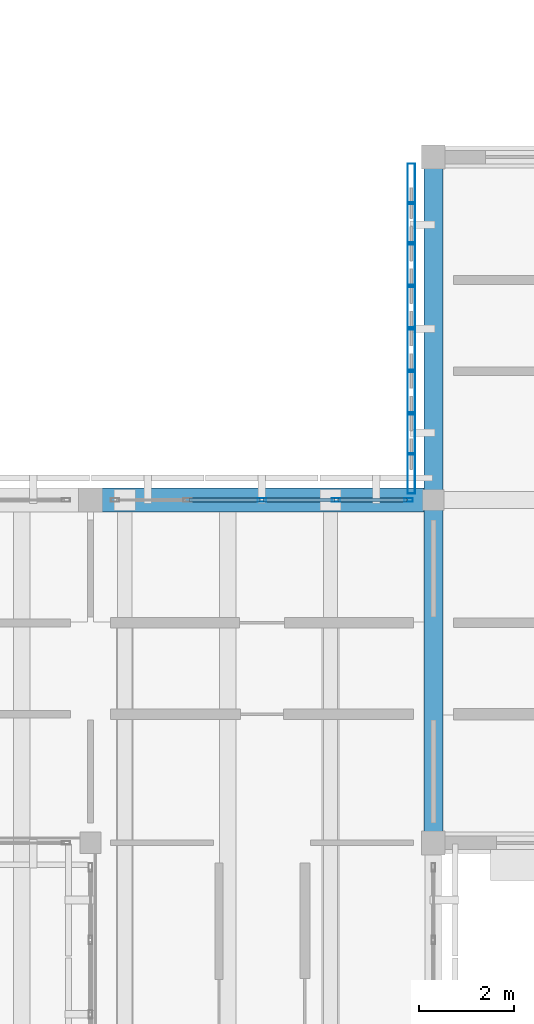
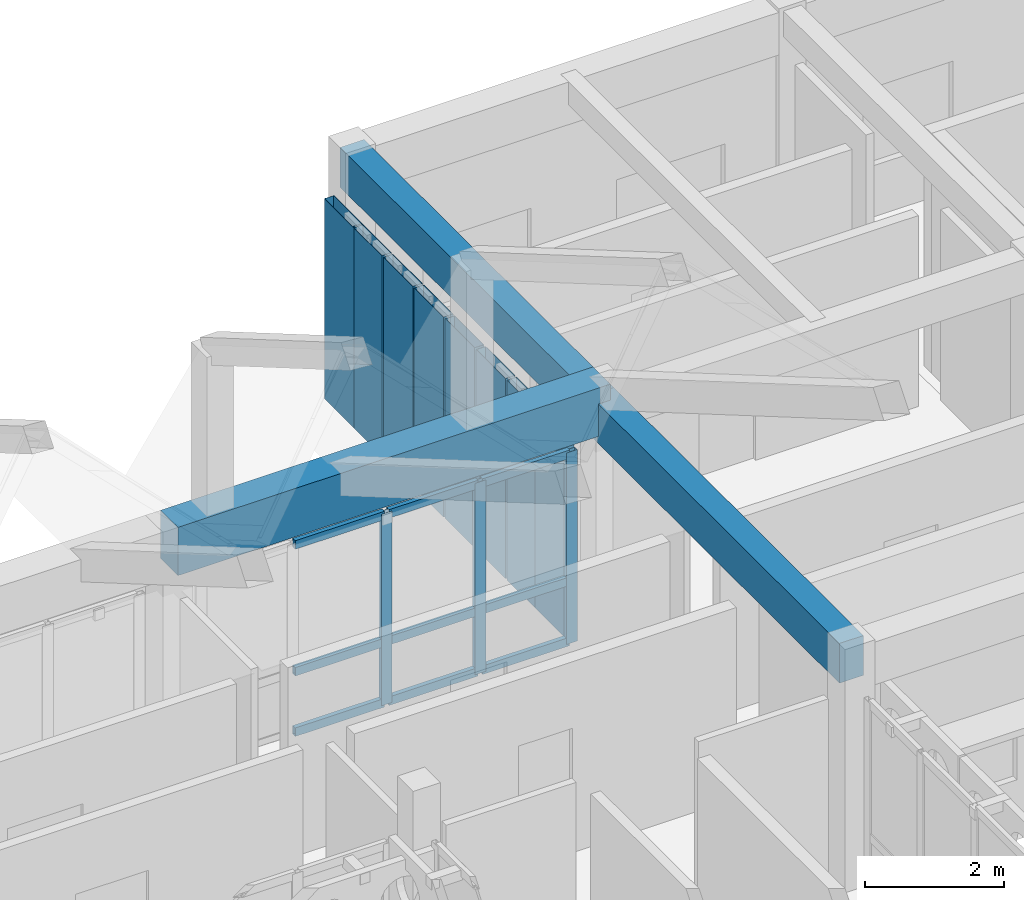
# One storey, part 62 of 171: 20 members, 3 beams, 2 elements without a shape of their own.
"""IFC4 building model written with IfcOpenShell, lengths in metres."""

from ifc_helpers import new_model, si_unit, direction, frame, origin, origin_2d, place, context, subcontext, project, spatial, rectangle, hollow_rectangle, extrude, material, material_profile, profile_set, type_object, element, aggregate, save


model = new_model("IFC4")

# Units and contexts
model_context = context("Model", 3, precision=1e-05, world=origin(), true_north=direction((0.0, 1.0)))
body_context = subcontext(model_context, "Body", "Model", "MODEL_VIEW")
ifc_project = project(units=[si_unit("LENGTHUNIT", "METRE"), si_unit("AREAUNIT", "SQUARE_METRE"), si_unit("VOLUMEUNIT", "CUBIC_METRE"), si_unit("PLANEANGLEUNIT", "RADIAN"), si_unit("MASSUNIT", "GRAM", prefix="KILO")], contexts=[model_context])

# Site, building, storey
site_placement = place(None, origin())
site = spatial("IfcSite", under=ifc_project, at=site_placement, CompositionType="ELEMENT")
building_placement = place(site_placement, origin())
building = spatial("IfcBuilding", under=site, at=building_placement, Name="Aldebral Square Health Centre", CompositionType="ELEMENT")
storey_placement = place(building_placement, frame((0.0, 0.0, 4.5)))
storey = spatial("IfcBuildingStorey", under=building, at=storey_placement, Name="L01", CompositionType="ELEMENT", Elevation=4.5)

# Beams
ifc_material_1 = material(Name="Concrete C40/50", Category="concrete")
ifc_material_profile_1 = material_profile(ifc_material_1, rectangle(XDim=0.5, YDim=0.85009765625, at=origin_2d()), Name="RC 500x850")
ifc_profile_set_1 = profile_set([ifc_material_profile_1], Name="Concrete C40/50")
beam_type_1 = type_object("IfcBeamType", Name="BM-G1", PredefinedType="T_BEAM", material=ifc_profile_set_1)
beam_placement = place(storey_placement, frame((100.800048828125, 100.800048828125, 4.074951171875), z_axis=(1.0, 0.0, 0.0), x_axis=(0.0, 1.0, 0.0)))
element("IfcBeam", 1, at=beam_placement, inside=storey, type_object=beam_type_1, Name="Waiting Hall diaphragm girder EAVE-N 15", PredefinedType="T_BEAM", context=body_context, shape_type="SweptSolid", body=[
    extrude(rectangle(XDim=0.5, YDim=0.85009765625, at=origin_2d()), origin(), (0.0, 0.0, 1.0), 7.199951171875),
])
ifc_material_profile_2 = material_profile(ifc_material_1, rectangle(XDim=0.39990234375, YDim=0.699951171875, at=origin_2d()), Name="RC 400x700")
ifc_profile_set_2 = profile_set([ifc_material_profile_2], Name="Concrete C40/50")
beam_type_2 = type_object("IfcBeamType", Name="BM-G3", PredefinedType="T_BEAM", material=ifc_profile_set_2)
for number, where, z_axis, x_axis, name in (
    (2, (108.0, 93.60009765625, 3.8701171875), (0.0, 1.0, 0.0), (-1.0, 0.0, 0.0), "L01 Y-beam G16/14-15"),
    (3, (108.0, 100.800048828125, 3.8701171875), (0.0, 1.0, 0.0), (-1.0, 0.0, 0.0), "L01 Y-beam G16/15-16"),
):
    element("IfcBeam", number, at=place(storey_placement, frame(where, z_axis=z_axis, x_axis=x_axis)), inside=storey, type_object=beam_type_2, Name=name, PredefinedType="T_BEAM", context=body_context, shape_type="SweptSolid", body=[
        extrude(rectangle(XDim=0.39990234375, YDim=0.699951171875, at=origin_2d()), origin(), (0.0, 0.0, 1.0), 7.199951171875),
    ])

# Curtain wall, members
ifc_material_2 = material(Name="Aluminium and low-E solar glass", Category="aluminium")
curtain_wall_type_1 = type_object("IfcCurtainWallType", Name="CW-FIN-SYS", PredefinedType="USERDEFINED", material=ifc_material_2)
curtain_wall_1_placement = place(storey_placement, origin())
curtain_wall_1 = element("IfcCurtainWall", 4, at=curtain_wall_1_placement, inside=storey, type_object=curtain_wall_type_1, Name="L01 V5 finned curtain wall L01-V5-15-14-W", ObjectType="SOLAR_CURTAIN_WALL", PredefinedType="USERDEFINED")
ifc_material_3 = material(Name="Sienna-terracotta clad aluminium fin", Category="masonry")
ifc_material_profile_3 = material_profile(ifc_material_3, hollow_rectangle(XDim=0.159912109375, YDim=0.85009765625, WallThickness=0.006103515625, at=origin_2d()), Name="FIN 160x850x6")
ifc_profile_set_3 = profile_set([ifc_material_profile_3], Name="Sienna-terracotta clad aluminium fin")
member_type_1 = type_object("IfcMemberType", Name="CWM-FIN", PredefinedType="MULLION", material=ifc_profile_set_3)
member_1_placement = place(storey_placement, frame((107.5400390625, 107.43994140625, 0.0), z_axis=(0.0, 0.0, 1.0), x_axis=(1.0, 0.0, 0.0)))
member_1 = element("IfcMember", 5, at=member_1_placement, type_object=member_type_1, Name="CW1 mullion 1", PredefinedType="MULLION", context=body_context, shape_type="SweptSolid", body=[
    extrude(hollow_rectangle(XDim=0.159912109375, YDim=0.85009765625, WallThickness=0.006103515625, at=origin_2d()), origin(), (0.0, 0.0, 1.0), 3.52001953125),
])
member_2_placement = place(storey_placement, frame((107.5400390625, 106.628662109375, 0.0), z_axis=(0.0, 0.0, 1.0), x_axis=(1.0, 0.0, 0.0)))
member_2 = element("IfcMember", 6, at=member_2_placement, type_object=member_type_1, Name="CW1 mullion 2", PredefinedType="MULLION", context=body_context, shape_type="SweptSolid", body=[
    extrude(hollow_rectangle(XDim=0.159912109375, YDim=0.85009765625, WallThickness=0.006103515625, at=origin_2d()), origin(), (0.0, 0.0, 1.0), 3.52001953125),
])
member_3_placement = place(storey_placement, frame((107.5400390625, 105.737060546875, 0.0), z_axis=(0.0, 0.0, 1.0), x_axis=(1.0, 0.0, 0.0)))
member_3 = element("IfcMember", 7, at=member_3_placement, type_object=member_type_1, Name="CW1 mullion 3", PredefinedType="MULLION", context=body_context, shape_type="SweptSolid", body=[
    extrude(hollow_rectangle(XDim=0.159912109375, YDim=0.85009765625, WallThickness=0.006103515625, at=origin_2d()), origin(), (0.0, 0.0, 1.0), 3.52001953125),
])
member_4_placement = place(storey_placement, frame((107.5400390625, 104.845703125, 0.0), z_axis=(0.0, 0.0, 1.0), x_axis=(1.0, 0.0, 0.0)))
member_4 = element("IfcMember", 8, at=member_4_placement, type_object=member_type_1, Name="CW1 mullion 4", PredefinedType="MULLION", context=body_context, shape_type="SweptSolid", body=[
    extrude(hollow_rectangle(XDim=0.159912109375, YDim=0.85009765625, WallThickness=0.006103515625, at=origin_2d()), origin(), (0.0, 0.0, 1.0), 3.52001953125),
])
member_5_placement = place(storey_placement, frame((107.5400390625, 103.954345703125, 0.0), z_axis=(0.0, 0.0, 1.0), x_axis=(1.0, 0.0, 0.0)))
member_5 = element("IfcMember", 9, at=member_5_placement, type_object=member_type_1, Name="CW1 mullion 5", PredefinedType="MULLION", context=body_context, shape_type="SweptSolid", body=[
    extrude(hollow_rectangle(XDim=0.159912109375, YDim=0.85009765625, WallThickness=0.006103515625, at=origin_2d()), origin(), (0.0, 0.0, 1.0), 3.52001953125),
])
member_6_placement = place(storey_placement, frame((107.5400390625, 103.062744140625, 0.0), z_axis=(0.0, 0.0, 1.0), x_axis=(1.0, 0.0, 0.0)))
member_6 = element("IfcMember", 10, at=member_6_placement, type_object=member_type_1, Name="CW1 mullion 6", PredefinedType="MULLION", context=body_context, shape_type="SweptSolid", body=[
    extrude(hollow_rectangle(XDim=0.159912109375, YDim=0.85009765625, WallThickness=0.006103515625, at=origin_2d()), origin(), (0.0, 0.0, 1.0), 3.52001953125),
])
member_7_placement = place(storey_placement, frame((107.5400390625, 102.17138671875, 0.0), z_axis=(0.0, 0.0, 1.0), x_axis=(1.0, 0.0, 0.0)))
member_7 = element("IfcMember", 11, at=member_7_placement, type_object=member_type_1, Name="CW1 mullion 7", PredefinedType="MULLION", context=body_context, shape_type="SweptSolid", body=[
    extrude(hollow_rectangle(XDim=0.159912109375, YDim=0.85009765625, WallThickness=0.006103515625, at=origin_2d()), origin(), (0.0, 0.0, 1.0), 3.52001953125),
])
member_8_placement = place(storey_placement, frame((107.5400390625, 101.360107421875, 0.0), z_axis=(0.0, 0.0, 1.0), x_axis=(1.0, 0.0, 0.0)))
member_8 = element("IfcMember", 12, at=member_8_placement, type_object=member_type_1, Name="CW1 mullion 8", PredefinedType="MULLION", context=body_context, shape_type="SweptSolid", body=[
    extrude(hollow_rectangle(XDim=0.159912109375, YDim=0.85009765625, WallThickness=0.006103515625, at=origin_2d()), origin(), (0.0, 0.0, 1.0), 3.52001953125),
])
aggregate(curtain_wall_1, [member_1, member_2, member_3, member_4, member_5, member_6, member_7, member_8])

curtain_wall_type_2 = type_object("IfcCurtainWallType", Name="CW-HALL-SYS", PredefinedType="USERDEFINED", material=ifc_material_2)
curtain_wall_2_placement = place(storey_placement, origin())
curtain_wall_2 = element("IfcCurtainWall", 13, at=curtain_wall_2_placement, inside=storey, type_object=curtain_wall_type_2, Name="L01 V1 hall curtain wall L01-V1-14-13-N", ObjectType="HALL_CURTAIN_WALL", PredefinedType="USERDEFINED")
ifc_material_4 = material(Name="Anodised aluminium mullion", Category="aluminium")
ifc_material_profile_4 = material_profile(ifc_material_4, hollow_rectangle(XDim=0.074951171875, YDim=0.179931640625, WallThickness=0.00390625, at=origin_2d()), Name="CWM 75x180x4")
ifc_profile_set_4 = profile_set([ifc_material_profile_4], Name="Anodised aluminium mullion")
member_type_2 = type_object("IfcMemberType", Name="CWM-STD", PredefinedType="MULLION", material=ifc_profile_set_4)
member_9_placement = place(storey_placement, frame((107.482421875, 100.800048828125, 0.0), z_axis=(0.0, 0.0, 1.0), x_axis=(0.0, -1.0, 0.0)))
member_9 = element("IfcMember", 14, at=member_9_placement, type_object=member_type_2, Name="CW2 mullion 1", PredefinedType="MULLION", context=body_context, shape_type="SweptSolid", body=[
    extrude(hollow_rectangle(XDim=0.074951171875, YDim=0.179931640625, WallThickness=0.00390625, at=origin_2d()), origin(), (0.0, 0.0, 1.0), 3.3701171875),
])
member_10_placement = place(storey_placement, frame((105.9599609375, 100.800048828125, 0.0), z_axis=(0.0, 0.0, 1.0), x_axis=(0.0, -1.0, 0.0)))
member_10 = element("IfcMember", 15, at=member_10_placement, type_object=member_type_2, Name="CW2 mullion 2", PredefinedType="MULLION", context=body_context, shape_type="SweptSolid", body=[
    extrude(hollow_rectangle(XDim=0.074951171875, YDim=0.179931640625, WallThickness=0.00390625, at=origin_2d()), origin(), (0.0, 0.0, 1.0), 3.3701171875),
])
member_11_placement = place(storey_placement, frame((104.39990234375, 100.800048828125, 0.0), z_axis=(0.0, 0.0, 1.0), x_axis=(0.0, -1.0, 0.0)))
member_11 = element("IfcMember", 16, at=member_11_placement, type_object=member_type_2, Name="CW2 mullion 3", PredefinedType="MULLION", context=body_context, shape_type="SweptSolid", body=[
    extrude(hollow_rectangle(XDim=0.074951171875, YDim=0.179931640625, WallThickness=0.00390625, at=origin_2d()), origin(), (0.0, 0.0, 1.0), 3.3701171875),
])
ifc_material_5 = material(Name="Anodised aluminium transom", Category="aluminium")
ifc_material_profile_5 = material_profile(ifc_material_5, hollow_rectangle(XDim=0.074951171875, YDim=0.14990234375, WallThickness=0.00390625, at=origin_2d()), Name="CWT 75x150x4")
ifc_profile_set_5 = profile_set([ifc_material_profile_5], Name="Anodised aluminium transom")
member_type_3 = type_object("IfcMemberType", Name="CWT-STD", PredefinedType="USERDEFINED", material=ifc_profile_set_5)
member_12_placement = place(storey_placement, frame((107.445068359375, 100.800048828125, 0.03759765625), z_axis=(-1.0, 0.0, 0.0), x_axis=(0.0, -1.0, 0.0)))
member_12 = element("IfcMember", 17, at=member_12_placement, type_object=member_type_3, Name="CW2 transom 1.1", ObjectType="TRANSOM", PredefinedType="USERDEFINED", context=body_context, shape_type="SweptSolid", body=[
    extrude(hollow_rectangle(XDim=0.074951171875, YDim=0.14990234375, WallThickness=0.00390625, at=origin_2d()), origin(), (0.0, 0.0, 1.0), 1.447509765625),
])
member_13_placement = place(storey_placement, frame((107.445068359375, 100.800048828125, 1.10009765625), z_axis=(-1.0, 0.0, 0.0), x_axis=(0.0, -1.0, 0.0)))
member_13 = element("IfcMember", 18, at=member_13_placement, type_object=member_type_3, Name="CW2 transom 1.2", ObjectType="TRANSOM", PredefinedType="USERDEFINED", context=body_context, shape_type="SweptSolid", body=[
    extrude(hollow_rectangle(XDim=0.074951171875, YDim=0.14990234375, WallThickness=0.00390625, at=origin_2d()), origin(), (0.0, 0.0, 1.0), 1.447509765625),
])
member_14_placement = place(storey_placement, frame((107.445068359375, 100.800048828125, 3.33251953125), z_axis=(-1.0, 0.0, 0.0), x_axis=(0.0, -1.0, 0.0)))
member_14 = element("IfcMember", 19, at=member_14_placement, type_object=member_type_3, Name="CW2 transom 1.3", ObjectType="TRANSOM", PredefinedType="USERDEFINED", context=body_context, shape_type="SweptSolid", body=[
    extrude(hollow_rectangle(XDim=0.074951171875, YDim=0.14990234375, WallThickness=0.00390625, at=origin_2d()), origin(), (0.0, 0.0, 1.0), 1.447509765625),
])
member_15_placement = place(storey_placement, frame((105.922607421875, 100.800048828125, 0.03759765625), z_axis=(-1.0, 0.0, 0.0), x_axis=(0.0, -1.0, 0.0)))
member_15 = element("IfcMember", 20, at=member_15_placement, type_object=member_type_3, Name="CW2 transom 2.1", ObjectType="TRANSOM", PredefinedType="USERDEFINED", context=body_context, shape_type="SweptSolid", body=[
    extrude(hollow_rectangle(XDim=0.074951171875, YDim=0.14990234375, WallThickness=0.00390625, at=origin_2d()), origin(), (0.0, 0.0, 1.0), 1.485107421875),
])
member_16_placement = place(storey_placement, frame((105.922607421875, 100.800048828125, 1.10009765625), z_axis=(-1.0, 0.0, 0.0), x_axis=(0.0, -1.0, 0.0)))
member_16 = element("IfcMember", 21, at=member_16_placement, type_object=member_type_3, Name="CW2 transom 2.2", ObjectType="TRANSOM", PredefinedType="USERDEFINED", context=body_context, shape_type="SweptSolid", body=[
    extrude(hollow_rectangle(XDim=0.074951171875, YDim=0.14990234375, WallThickness=0.00390625, at=origin_2d()), origin(), (0.0, 0.0, 1.0), 1.485107421875),
])
member_17_placement = place(storey_placement, frame((105.922607421875, 100.800048828125, 3.33251953125), z_axis=(-1.0, 0.0, 0.0), x_axis=(0.0, -1.0, 0.0)))
member_17 = element("IfcMember", 22, at=member_17_placement, type_object=member_type_3, Name="CW2 transom 2.3", ObjectType="TRANSOM", PredefinedType="USERDEFINED", context=body_context, shape_type="SweptSolid", body=[
    extrude(hollow_rectangle(XDim=0.074951171875, YDim=0.14990234375, WallThickness=0.00390625, at=origin_2d()), origin(), (0.0, 0.0, 1.0), 1.485107421875),
])
member_18_placement = place(storey_placement, frame((104.362548828125, 100.800048828125, 0.03759765625), z_axis=(-1.0, 0.0, 0.0), x_axis=(0.0, -1.0, 0.0)))
member_18 = element("IfcMember", 23, at=member_18_placement, type_object=member_type_3, Name="CW2 transom 3.1", ObjectType="TRANSOM", PredefinedType="USERDEFINED", context=body_context, shape_type="SweptSolid", body=[
    extrude(hollow_rectangle(XDim=0.074951171875, YDim=0.14990234375, WallThickness=0.00390625, at=origin_2d()), origin(), (0.0, 0.0, 1.0), 1.485107421875),
])
member_19_placement = place(storey_placement, frame((104.362548828125, 100.800048828125, 1.10009765625), z_axis=(-1.0, 0.0, 0.0), x_axis=(0.0, -1.0, 0.0)))
member_19 = element("IfcMember", 24, at=member_19_placement, type_object=member_type_3, Name="CW2 transom 3.2", ObjectType="TRANSOM", PredefinedType="USERDEFINED", context=body_context, shape_type="SweptSolid", body=[
    extrude(hollow_rectangle(XDim=0.074951171875, YDim=0.14990234375, WallThickness=0.00390625, at=origin_2d()), origin(), (0.0, 0.0, 1.0), 1.485107421875),
])
member_20_placement = place(storey_placement, frame((104.362548828125, 100.800048828125, 3.33251953125), z_axis=(-1.0, 0.0, 0.0), x_axis=(0.0, -1.0, 0.0)))
member_20 = element("IfcMember", 25, at=member_20_placement, type_object=member_type_3, Name="CW2 transom 3.3", ObjectType="TRANSOM", PredefinedType="USERDEFINED", context=body_context, shape_type="SweptSolid", body=[
    extrude(hollow_rectangle(XDim=0.074951171875, YDim=0.14990234375, WallThickness=0.00390625, at=origin_2d()), origin(), (0.0, 0.0, 1.0), 1.485107421875),
])
aggregate(curtain_wall_2, [member_9, member_10, member_11, member_12, member_13, member_14, member_15, member_16, member_17, member_18, member_19, member_20])

save(model, "model.ifc")
